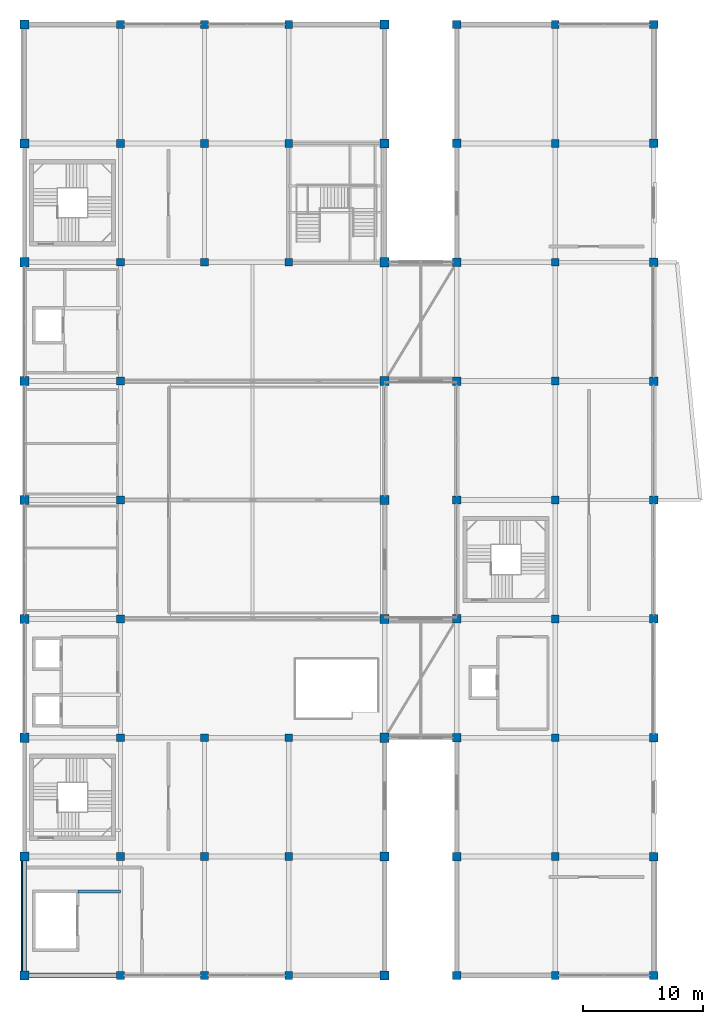
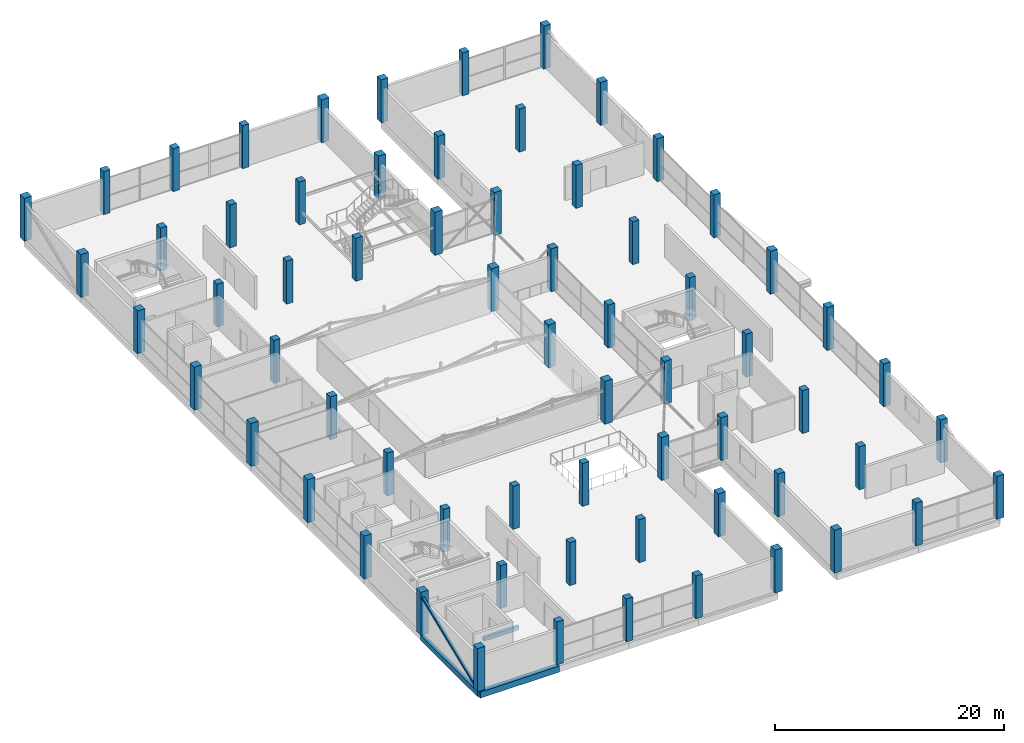
# One storey, part 1 of 69: 66 columns, 3 beams, 1 member.
"""IFC4 building model written with IfcOpenShell, lengths in metres."""

from ifc_helpers import new_model, si_unit, direction, frame, origin, origin_2d, place, context, subcontext, project, spatial, rectangle, hollow_rectangle, extrude, material, material_profile, profile_set, type_object, element, save


model = new_model("IFC4")

# Units and contexts
model_context = context("Model", 3, precision=1e-05, world=origin(), true_north=direction((0.0, 1.0)))
body_context = subcontext(model_context, "Body", "Model", "MODEL_VIEW")
ifc_project = project(units=[si_unit("LENGTHUNIT", "METRE"), si_unit("AREAUNIT", "SQUARE_METRE"), si_unit("VOLUMEUNIT", "CUBIC_METRE"), si_unit("PLANEANGLEUNIT", "RADIAN"), si_unit("MASSUNIT", "GRAM", prefix="KILO")], contexts=[model_context])

# Site, building, storey
site_placement = place(None, origin())
site = spatial("IfcSite", under=ifc_project, at=site_placement, CompositionType="ELEMENT")
building_placement = place(site_placement, origin())
building = spatial("IfcBuilding", under=site, at=building_placement, Name="Sillaruma Civic Art Gallery", CompositionType="ELEMENT")
storey_placement = place(building_placement, frame((0.0, 0.0, 42.330078125)))
storey = spatial("IfcBuildingStorey", under=building, at=storey_placement, Name="L08", CompositionType="ELEMENT", Elevation=42.330078125)

# Columns
ifc_material_1 = material(Name="Concrete H40 (40 MPa)", Category="concrete")
ifc_material_profile_1 = material_profile(ifc_material_1, rectangle(XDim=0.64990234375, YDim=0.64990234375, at=origin_2d()), Name="RC650x650")
ifc_profile_set_1 = profile_set([ifc_material_profile_1], Name="Concrete H40 (40 MPa)")
column_type_1 = type_object("IfcColumnType", Name="COL-COLUMN-RC650x650", PredefinedType="COLUMN", material=ifc_profile_set_1)
for number, where, z_axis, x_axis, name in (
    (1, (70.0, 19.800048828125, 0.0), (0.0, 0.0, 1.0), (1.0, 0.0, 0.0), "Column C-07 (L08:G3)"),
    (2, (70.0, 29.699951171875, 0.0), (0.0, 0.0, 1.0), (1.0, 0.0, 0.0), "Column C-07 (L08:G4)"),
    (3, (70.0, 39.60009765625, 0.0), (0.0, 0.0, 1.0), (1.0, 0.0, 0.0), "Column C-07 (L08:G5)"),
    (4, (70.0, 49.5, 0.0), (0.0, 0.0, 1.0), (1.0, 0.0, 0.0), "Column C-07 (L08:G6)"),
    (5, (70.0, 59.39990234375, 0.0), (0.0, 0.0, 1.0), (1.0, 0.0, 0.0), "Column C-07 (L08:G7)"),
    (6, (70.0, 69.300048828125, 0.0), (0.0, 0.0, 1.0), (1.0, 0.0, 0.0), "Column C-07 (L08:G8)"),
    (7, (70.0, 79.199951171875, 0.0), (0.0, 0.0, 1.0), (1.0, 0.0, 0.0), "Column C-07 (L08:G9)"),
    (8, (70.0, 89.10009765625, 0.0), (0.0, 0.0, 1.0), (1.0, 0.0, 0.0), "Column C-07 (L08:G10)"),
    (9, (70.0, 99.0, 0.0), (0.0, 0.0, 1.0), (1.0, 0.0, 0.0), "Column C-07 (L08:G11)"),
    (10, (77.0, 19.800048828125, 0.0), (0.0, 0.0, 1.0), (1.0, 0.0, 0.0), "Column C-07 (L08:H3)"),
    (11, (77.0, 29.699951171875, 0.0), (0.0, 0.0, 1.0), (1.0, 0.0, 0.0), "Column C-07 (L08:H4)"),
    (12, (77.0, 39.60009765625, 0.0), (0.0, 0.0, 1.0), (1.0, 0.0, 0.0), "Column C-07 (L08:H5)"),
    (13, (77.0, 79.199951171875, 0.0), (0.0, 0.0, 1.0), (1.0, 0.0, 0.0), "Column C-07 (L08:H9)"),
    (14, (77.0, 89.10009765625, 0.0), (0.0, 0.0, 1.0), (1.0, 0.0, 0.0), "Column C-07 (L08:H10)"),
    (15, (77.0, 99.0, 0.0), (0.0, 0.0, 1.0), (1.0, 0.0, 0.0), "Column C-07 (L08:H11)"),
    (16, (84.0, 19.800048828125, 0.0), (0.0, 0.0, 1.0), (1.0, 0.0, 0.0), "Column C-07 (L08:J3)"),
    (17, (84.0, 29.699951171875, 0.0), (0.0, 0.0, 1.0), (1.0, 0.0, 0.0), "Column C-07 (L08:J4)"),
    (18, (84.0, 39.60009765625, 0.0), (0.0, 0.0, 1.0), (1.0, 0.0, 0.0), "Column C-07 (L08:J5)"),
    (19, (84.0, 79.199951171875, 0.0), (0.0, 0.0, 1.0), (1.0, 0.0, 0.0), "Column C-07 (L08:J9)"),
    (20, (84.0, 89.10009765625, 0.0), (0.0, 0.0, 1.0), (1.0, 0.0, 0.0), "Column C-07 (L08:J10)"),
    (21, (84.0, 99.0, 0.0), (0.0, 0.0, 1.0), (1.0, 0.0, 0.0), "Column C-07 (L08:J11)"),
    (22, (106.199951171875, 19.800048828125, 0.0), (0.0, 0.0, 1.0), (1.0, 0.0, 0.0), "Column C-07 (L08:M3)"),
    (23, (106.199951171875, 29.699951171875, 0.0), (0.0, 0.0, 1.0), (1.0, 0.0, 0.0), "Column C-07 (L08:M4)"),
    (24, (106.199951171875, 39.60009765625, 0.0), (0.0, 0.0, 1.0), (1.0, 0.0, 0.0), "Column C-07 (L08:M5)"),
    (25, (106.199951171875, 49.5, 0.0), (0.0, 0.0, 1.0), (1.0, 0.0, 0.0), "Column C-07 (L08:M6)"),
    (26, (106.199951171875, 59.39990234375, 0.0), (0.0, 0.0, 1.0), (1.0, 0.0, 0.0), "Column C-07 (L08:M7)"),
    (27, (106.199951171875, 69.300048828125, 0.0), (0.0, 0.0, 1.0), (1.0, 0.0, 0.0), "Column C-07 (L08:M8)"),
    (28, (106.199951171875, 79.199951171875, 0.0), (0.0, 0.0, 1.0), (1.0, 0.0, 0.0), "Column C-07 (L08:M9)"),
    (29, (106.199951171875, 89.10009765625, 0.0), (0.0, 0.0, 1.0), (1.0, 0.0, 0.0), "Column C-07 (L08:M10)"),
    (30, (106.199951171875, 99.0, 0.0), (0.0, 0.0, 1.0), (1.0, 0.0, 0.0), "Column C-07 (L08:M11)"),
):
    element("IfcColumn", number, at=place(storey_placement, frame(where, z_axis=z_axis, x_axis=x_axis)), inside=storey, type_object=column_type_1, Name=name, PredefinedType="COLUMN", context=body_context, shape_type="SweptSolid", body=[
        extrude(rectangle(XDim=0.64990234375, YDim=0.64990234375, at=origin_2d()), origin(), (0.0, 0.0, 1.0), 4.58984375),
    ])
ifc_material_profile_2 = material_profile(ifc_material_1, rectangle(XDim=0.699951171875, YDim=0.699951171875, at=origin_2d()), Name="RC700x700")
ifc_profile_set_2 = profile_set([ifc_material_profile_2], Name="Concrete H40 (40 MPa)")
column_type_2 = type_object("IfcColumnType", Name="COL-COLUMN-RC700x700", PredefinedType="COLUMN", material=ifc_profile_set_2)
for number, where, z_axis, x_axis, name in (
    (31, (98.0, 19.800048828125, 0.0), (0.0, 0.0, 1.0), (1.0, 0.0, 0.0), "Column C-06 (L08:L3)"),
    (32, (98.0, 29.699951171875, 0.0), (0.0, 0.0, 1.0), (1.0, 0.0, 0.0), "Column C-06 (L08:L4)"),
    (33, (98.0, 39.60009765625, 0.0), (0.0, 0.0, 1.0), (1.0, 0.0, 0.0), "Column C-06 (L08:L5)"),
    (34, (98.0, 49.5, 0.0), (0.0, 0.0, 1.0), (1.0, 0.0, 0.0), "Column C-06 (L08:L6)"),
    (35, (98.0, 59.39990234375, 0.0), (0.0, 0.0, 1.0), (1.0, 0.0, 0.0), "Column C-06 (L08:L7)"),
    (36, (98.0, 69.300048828125, 0.0), (0.0, 0.0, 1.0), (1.0, 0.0, 0.0), "Column C-06 (L08:L8)"),
    (37, (98.0, 79.199951171875, 0.0), (0.0, 0.0, 1.0), (1.0, 0.0, 0.0), "Column C-06 (L08:L9)"),
    (38, (98.0, 89.10009765625, 0.0), (0.0, 0.0, 1.0), (1.0, 0.0, 0.0), "Column C-06 (L08:L10)"),
    (39, (98.0, 99.0, 0.0), (0.0, 0.0, 1.0), (1.0, 0.0, 0.0), "Column C-06 (L08:L11)"),
    (40, (114.39990234375, 19.800048828125, 0.0), (0.0, 0.0, 1.0), (1.0, 0.0, 0.0), "Column C-06 (L08:N3)"),
    (41, (114.39990234375, 29.699951171875, 0.0), (0.0, 0.0, 1.0), (1.0, 0.0, 0.0), "Column C-06 (L08:N4)"),
    (42, (114.39990234375, 39.60009765625, 0.0), (0.0, 0.0, 1.0), (1.0, 0.0, 0.0), "Column C-06 (L08:N5)"),
    (43, (114.39990234375, 49.5, 0.0), (0.0, 0.0, 1.0), (1.0, 0.0, 0.0), "Column C-06 (L08:N6)"),
    (44, (114.39990234375, 59.39990234375, 0.0), (0.0, 0.0, 1.0), (1.0, 0.0, 0.0), "Column C-06 (L08:N7)"),
    (45, (114.39990234375, 69.300048828125, 0.0), (0.0, 0.0, 1.0), (1.0, 0.0, 0.0), "Column C-06 (L08:N8)"),
    (46, (114.39990234375, 79.199951171875, 0.0), (0.0, 0.0, 1.0), (1.0, 0.0, 0.0), "Column C-06 (L08:N9)"),
    (47, (114.39990234375, 89.10009765625, 0.0), (0.0, 0.0, 1.0), (1.0, 0.0, 0.0), "Column C-06 (L08:N10)"),
    (48, (114.39990234375, 99.0, 0.0), (0.0, 0.0, 1.0), (1.0, 0.0, 0.0), "Column C-06 (L08:N11)"),
):
    element("IfcColumn", number, at=place(storey_placement, frame(where, z_axis=z_axis, x_axis=x_axis)), inside=storey, type_object=column_type_2, Name=name, PredefinedType="COLUMN", context=body_context, shape_type="SweptSolid", body=[
        extrude(rectangle(XDim=0.699951171875, YDim=0.699951171875, at=origin_2d()), origin(), (0.0, 0.0, 1.0), 4.58984375),
    ])
ifc_material_profile_3 = material_profile(ifc_material_1, rectangle(XDim=0.75, YDim=0.75, at=origin_2d()), Name="RC750x750")
ifc_profile_set_3 = profile_set([ifc_material_profile_3], Name="Concrete H40 (40 MPa)")
column_type_3 = type_object("IfcColumnType", Name="COL-COLUMN-RC750x750", PredefinedType="COLUMN", material=ifc_profile_set_3)
for number, where, z_axis, x_axis, name in (
    (49, (62.0, 19.800048828125, 0.0), (0.0, 0.0, 1.0), (1.0, 0.0, 0.0), "Column C-05 (L08:F3)"),
    (50, (62.0, 29.699951171875, 0.0), (0.0, 0.0, 1.0), (1.0, 0.0, 0.0), "Column C-05 (L08:F4)"),
    (51, (62.0, 39.60009765625, 0.0), (0.0, 0.0, 1.0), (1.0, 0.0, 0.0), "Column C-05 (L08:F5)"),
    (52, (62.0, 49.5, 0.0), (0.0, 0.0, 1.0), (1.0, 0.0, 0.0), "Column C-05 (L08:F6)"),
    (53, (62.0, 59.39990234375, 0.0), (0.0, 0.0, 1.0), (1.0, 0.0, 0.0), "Column C-05 (L08:F7)"),
    (54, (62.0, 69.300048828125, 0.0), (0.0, 0.0, 1.0), (1.0, 0.0, 0.0), "Column C-05 (L08:F8)"),
    (55, (62.0, 79.199951171875, 0.0), (0.0, 0.0, 1.0), (1.0, 0.0, 0.0), "Column C-05 (L08:F9)"),
    (56, (62.0, 89.10009765625, 0.0), (0.0, 0.0, 1.0), (1.0, 0.0, 0.0), "Column C-05 (L08:F10)"),
    (57, (62.0, 99.0, 0.0), (0.0, 0.0, 1.0), (1.0, 0.0, 0.0), "Column C-05 (L08:F11)"),
    (58, (92.0, 19.800048828125, 0.0), (0.0, 0.0, 1.0), (1.0, 0.0, 0.0), "Column C-05 (L08:K3)"),
    (59, (92.0, 29.699951171875, 0.0), (0.0, 0.0, 1.0), (1.0, 0.0, 0.0), "Column C-05 (L08:K4)"),
    (60, (92.0, 39.60009765625, 0.0), (0.0, 0.0, 1.0), (1.0, 0.0, 0.0), "Column C-05 (L08:K5)"),
    (61, (92.0, 49.5, 0.0), (0.0, 0.0, 1.0), (1.0, 0.0, 0.0), "Column C-05 (L08:K6)"),
    (62, (92.0, 59.39990234375, 0.0), (0.0, 0.0, 1.0), (1.0, 0.0, 0.0), "Column C-05 (L08:K7)"),
    (63, (92.0, 69.300048828125, 0.0), (0.0, 0.0, 1.0), (1.0, 0.0, 0.0), "Column C-05 (L08:K8)"),
    (64, (92.0, 79.199951171875, 0.0), (0.0, 0.0, 1.0), (1.0, 0.0, 0.0), "Column C-05 (L08:K9)"),
    (65, (92.0, 89.10009765625, 0.0), (0.0, 0.0, 1.0), (1.0, 0.0, 0.0), "Column C-05 (L08:K10)"),
    (66, (92.0, 99.0, 0.0), (0.0, 0.0, 1.0), (1.0, 0.0, 0.0), "Column C-05 (L08:K11)"),
):
    element("IfcColumn", number, at=place(storey_placement, frame(where, z_axis=z_axis, x_axis=x_axis)), inside=storey, type_object=column_type_3, Name=name, PredefinedType="COLUMN", context=body_context, shape_type="SweptSolid", body=[
        extrude(rectangle(XDim=0.75, YDim=0.75, at=origin_2d()), origin(), (0.0, 0.0, 1.0), 4.58984375),
    ])

# Beams
ifc_material_2 = material(Name="Concrete H35 (35 MPa)", Category="concrete")
ifc_material_profile_4 = material_profile(ifc_material_2, rectangle(XDim=0.260009765625, YDim=0.419921875, at=origin_2d()), Name="RCB260x420")
ifc_profile_set_4 = profile_set([ifc_material_profile_4], Name="Concrete H35 (35 MPa)")
beam_type_1 = type_object("IfcBeamType", Name="BM-LINTEL-RCB260x420", PredefinedType="LINTEL", material=ifc_profile_set_4)
beam_1_placement = place(storey_placement, frame((66.449951171875, 26.780029296875, -0.489990234375), z_axis=(1.0, 0.0, 0.0), x_axis=(0.0, 1.0, 0.0)))
element("IfcBeam", 67, at=beam_1_placement, inside=storey, type_object=beam_type_1, Name="Core Portal Coupling Lintel BL-02 (L07:GL1)", PredefinedType="LINTEL", context=body_context, shape_type="SweptSolid", body=[
    extrude(rectangle(XDim=0.260009765625, YDim=0.419921875, at=origin_2d()), origin(), (0.0, 0.0, 1.0), 3.550048828125),
])
ifc_material_profile_5 = material_profile(ifc_material_2, rectangle(XDim=0.35009765625, YDim=0.550048828125, at=origin_2d()), Name="RCB350x550")
ifc_profile_set_5 = profile_set([ifc_material_profile_5], Name="Concrete H35 (35 MPa)")
beam_type_2 = type_object("IfcBeamType", Name="BM-SPANDREL-RCB350x550", PredefinedType="SPANDREL", material=ifc_profile_set_5)
beam_2_placement = place(storey_placement, frame((62.0, 19.800048828125, -0.55517578125), z_axis=(0.0, 1.0, 0.0), x_axis=(-1.0, 0.0, 0.0)))
element("IfcBeam", 68, at=beam_2_placement, inside=storey, type_object=beam_type_2, Name="Beam BS-04 (L07:F:3-4)", PredefinedType="SPANDREL", context=body_context, shape_type="SweptSolid", body=[
    extrude(rectangle(XDim=0.35009765625, YDim=0.550048828125, at=origin_2d()), origin(), (0.0, 0.0, 1.0), 9.89990234375),
])
ifc_material_profile_6 = material_profile(ifc_material_2, rectangle(XDim=0.39990234375, YDim=0.64990234375, at=origin_2d()), Name="RCB400x650")
ifc_profile_set_6 = profile_set([ifc_material_profile_6], Name="Concrete H35 (35 MPa)")
beam_type_3 = type_object("IfcBeamType", Name="BM-SPANDREL-RCB400x650", PredefinedType="SPANDREL", material=ifc_profile_set_6)
beam_3_placement = place(storey_placement, frame((62.0, 19.800048828125, -0.60498046875), z_axis=(1.0, 0.0, 0.0), x_axis=(0.0, 1.0, 0.0)))
element("IfcBeam", 69, at=beam_3_placement, inside=storey, type_object=beam_type_3, Name="Beam BS-02 (L07:3:F-G)", PredefinedType="SPANDREL", context=body_context, shape_type="SweptSolid", body=[
    extrude(rectangle(XDim=0.39990234375, YDim=0.64990234375, at=origin_2d()), origin(), (0.0, 0.0, 1.0), 8.0),
])

# Member
ifc_material_3 = material(Name="Structural Steel ASTM A500 Gr.C", Category="steel")
ifc_material_profile_7 = material_profile(ifc_material_3, hollow_rectangle(XDim=0.25, YDim=0.25, WallThickness=0.012451171875, InnerFilletRadius=0.012451171875, OuterFilletRadius=0.02490234375, at=origin_2d()), Name="HSS250x250x12.5")
ifc_profile_set_7 = profile_set([ifc_material_profile_7], Name="Structural Steel ASTM A500 Gr.C")
member_type = type_object("IfcMemberType", Name="MEM-MEGA-BRACE", PredefinedType="BRACE", material=ifc_profile_set_7)
member_placement = place(storey_placement, frame((61.85009765625, 19.97998046875, 0.099853515625), z_axis=(0.0, 0.925975169428, 0.37758440858), x_axis=(-1.0, 0.0, 0.0)))
element("IfcMember", 70, at=member_placement, inside=storey, type_object=member_type, Name="Exterior Expressed Gallery Seismic Diagonal Brace (L08-WS)", PredefinedType="BRACE", context=body_context, shape_type="SweptSolid", body=[
    extrude(hollow_rectangle(XDim=0.25, YDim=0.25, WallThickness=0.012451171875, InnerFilletRadius=0.012451171875, OuterFilletRadius=0.02490234375, at=origin_2d()), origin(), (0.0, 0.0, 1.0), 10.302734375),
])

save(model, "model.ifc")
